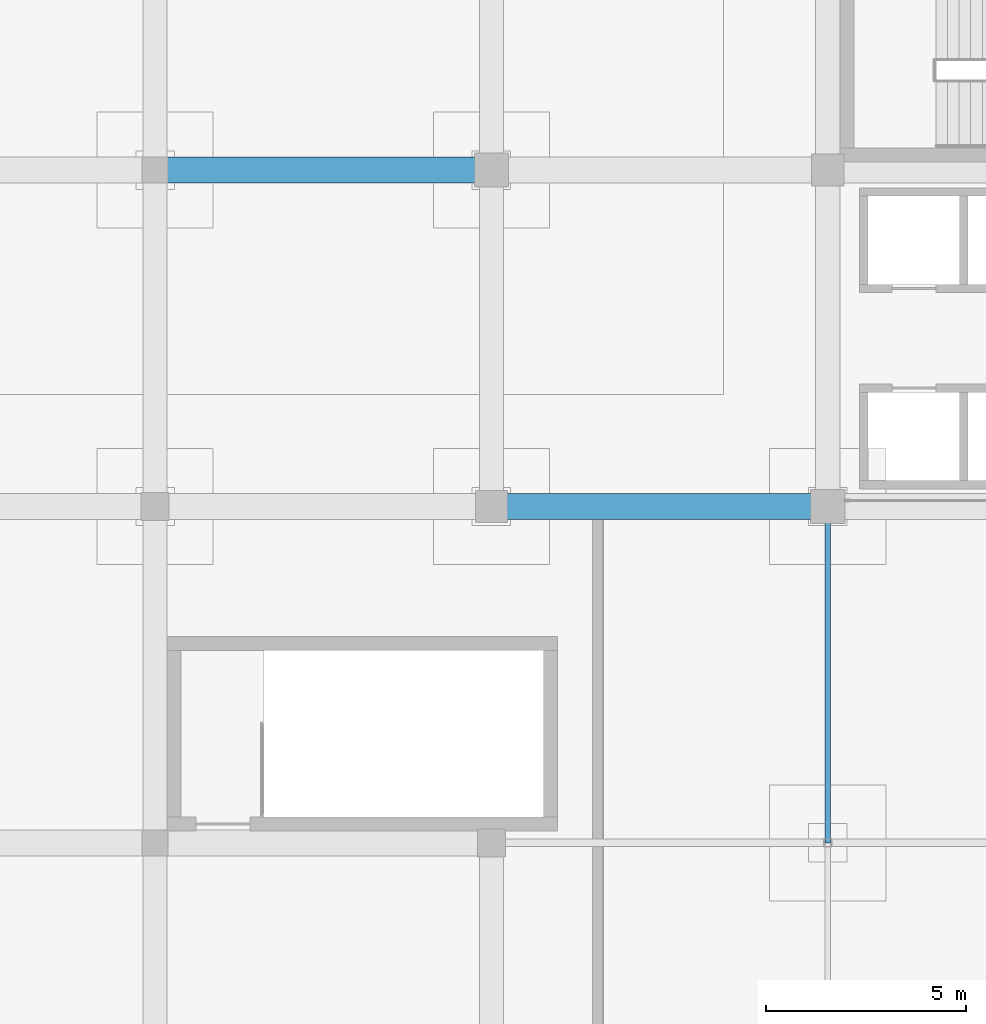
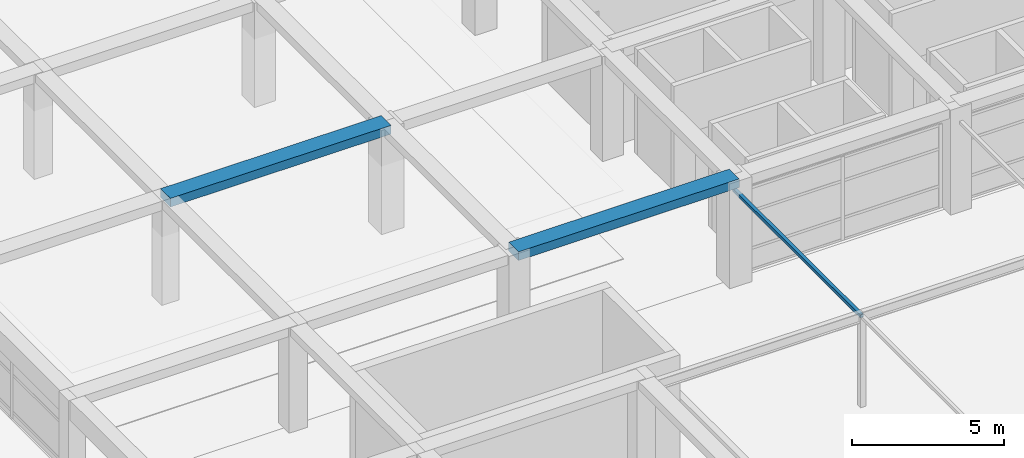
# One storey, part 32 of 85: 2 beams, 1 member.
"""IFC4 building model written with IfcOpenShell, lengths in metres."""

from ifc_helpers import new_model, si_unit, direction, frame, origin, origin_2d, place, context, subcontext, project, spatial, rectangle, hollow_rectangle, extrude, material, material_profile, profile_set, type_object, element, save


model = new_model("IFC4")

# Units and contexts
model_context = context("Model", 3, precision=1e-05, world=origin(), true_north=direction((0.0, 1.0)))
body_context = subcontext(model_context, "Body", "Model", "MODEL_VIEW")
ifc_project = project(units=[si_unit("LENGTHUNIT", "METRE"), si_unit("AREAUNIT", "SQUARE_METRE"), si_unit("VOLUMEUNIT", "CUBIC_METRE"), si_unit("PLANEANGLEUNIT", "RADIAN"), si_unit("MASSUNIT", "GRAM", prefix="KILO")], contexts=[model_context])

# Site, building, storey
site_placement = place(None, origin())
site = spatial("IfcSite", under=ifc_project, at=site_placement, CompositionType="ELEMENT")
building_placement = place(site_placement, origin())
building = spatial("IfcBuilding", under=site, at=building_placement, Name="Almacenes y Pasaje Nevantli", CompositionType="ELEMENT")
storey_placement = place(building_placement, frame((0.0, 0.0, 22.199951171875)))
storey = spatial("IfcBuildingStorey", under=building, at=storey_placement, Name="L05", CompositionType="ELEMENT", Elevation=22.199951171875)

# Beams
ifc_material_1 = material(Name="Concrete C35/45", Category="concrete")
ifc_material_profile_1 = material_profile(ifc_material_1, rectangle(XDim=0.64990234375, YDim=0.35009765625, at=origin_2d()), Name="RC-BM-650x350")
ifc_profile_set_1 = profile_set([ifc_material_profile_1], Name="Concrete C35/45")
beam_type = type_object("IfcBeamType", Name="BM-RC-650x350", PredefinedType="BEAM", material=ifc_profile_set_1)
beam_1_placement = place(storey_placement, frame((109.199951171875, 67.199951171875, 4.045166015625), z_axis=(1.0, 0.0, 0.0), x_axis=(0.0, 1.0, 0.0)))
element("IfcBeam", 1, at=beam_1_placement, inside=storey, type_object=beam_type, Name="L05 East-West Reinforced Concrete Beam #3313", PredefinedType="BEAM", context=body_context, shape_type="SweptSolid", body=[
    extrude(rectangle(XDim=0.64990234375, YDim=0.35009765625, at=origin_2d()), origin(), (0.0, 0.0, 1.0), 8.400146484375),
])
beam_2_placement = place(storey_placement, frame((100.800048828125, 75.60009765625, 4.045166015625), z_axis=(1.0, 0.0, 0.0), x_axis=(0.0, 1.0, 0.0)))
element("IfcBeam", 2, at=beam_2_placement, inside=storey, type_object=beam_type, Name="L05 East-West Reinforced Concrete Beam #3329", PredefinedType="BEAM", context=body_context, shape_type="SweptSolid", body=[
    extrude(rectangle(XDim=0.64990234375, YDim=0.35009765625, at=origin_2d()), origin(), (0.0, 0.0, 1.0), 8.39990234375),
])

# Member
ifc_material_2 = material(Name="Steel ASTM A500 Grade C", Category="steel")
ifc_material_profile_2 = material_profile(ifc_material_2, hollow_rectangle(XDim=0.126953125, YDim=0.126953125, WallThickness=0.00634765625, at=origin_2d()), Name="OR 127x127x6.4")
ifc_profile_set_2 = profile_set([ifc_material_profile_2], Name="Steel ASTM A500 Grade C")
member_type = type_object("IfcMemberType", Name="MBR-PUR-OR127x127", PredefinedType="PURLIN", material=ifc_profile_set_2)
member_placement = place(storey_placement, frame((117.60009765625, 58.800048828125, 3.60009765625), z_axis=(0.0, 1.0, 0.0), x_axis=(-1.0, 0.0, 0.0)))
element("IfcMember", 3, at=member_placement, inside=storey, type_object=member_type, Name="L05 Ziggurat Terrace Pergola Steel Tie #25", PredefinedType="PURLIN", context=body_context, shape_type="SweptSolid", body=[
    extrude(hollow_rectangle(XDim=0.126953125, YDim=0.126953125, WallThickness=0.00634765625, at=origin_2d()), origin(), (0.0, 0.0, 1.0), 8.39990234375),
])

save(model, "model.ifc")
